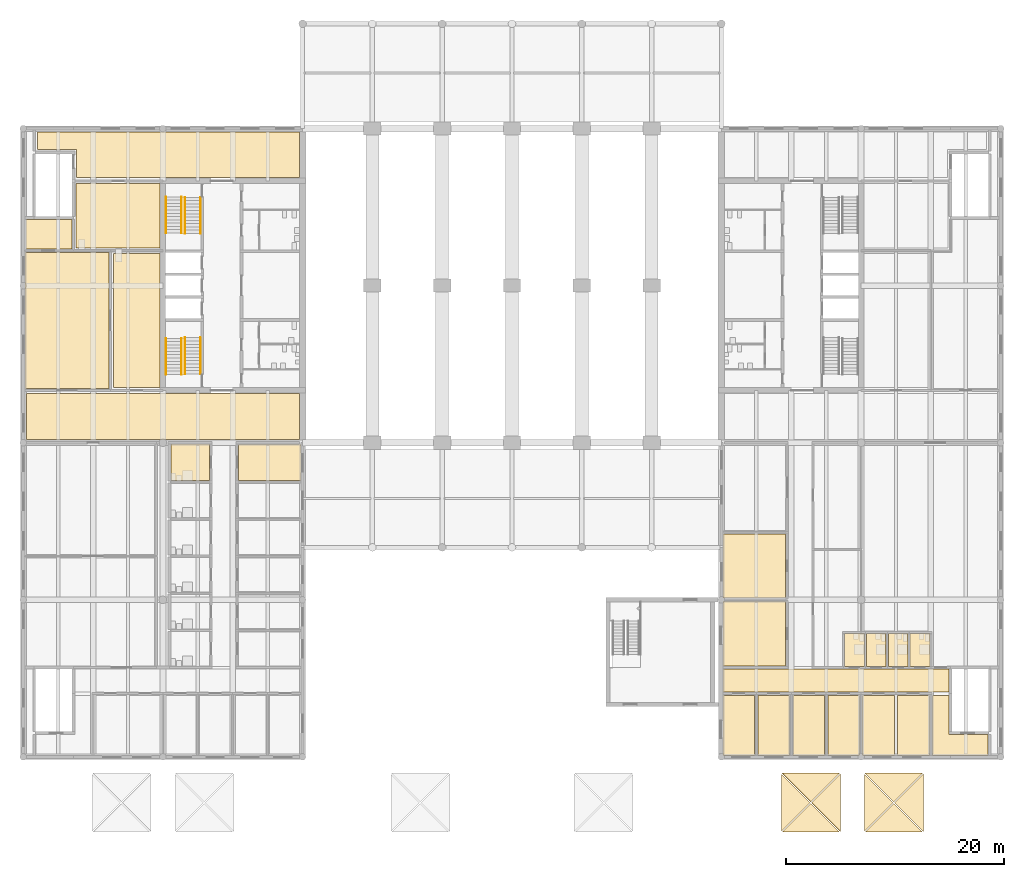
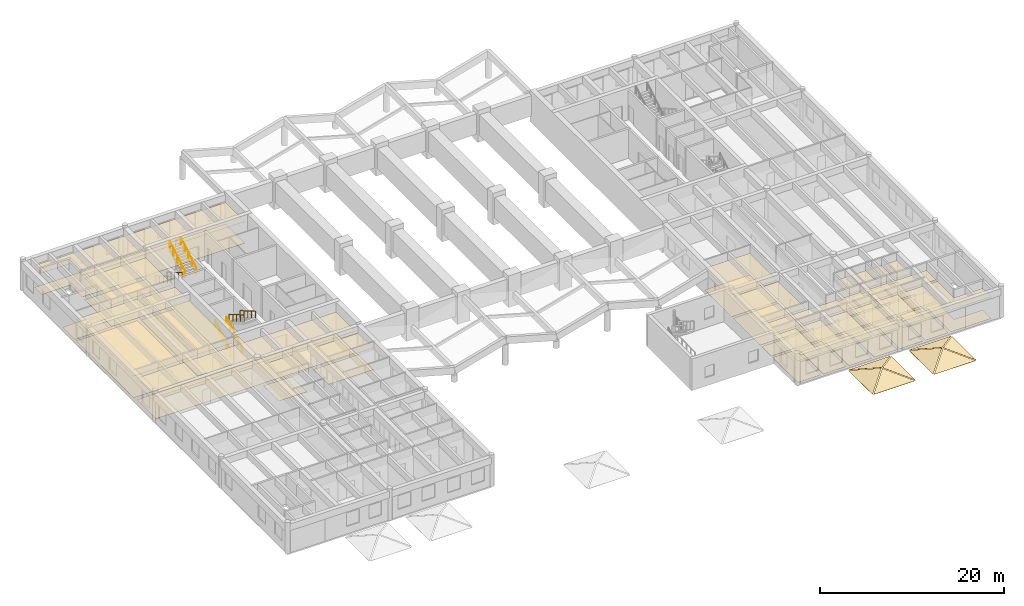
# One storey, part 17 of 19: 51 coverings, 8 railings.
"""IFC4 building model written with IfcOpenShell, lengths in metres."""

from ifc_helpers import new_model, si_unit, direction, frame, origin, origin_2d, place, context, subcontext, project, spatial, polyline, circle, outline, extrude, material, layer, layer_set, type_object, element, save


model = new_model("IFC4")

# Units and contexts
model_context = context("Model", 3, precision=1e-05, world=origin(), true_north=direction((0.0, 1.0)))
body_context = subcontext(model_context, "Body", "Model", "MODEL_VIEW")
ifc_project = project(units=[si_unit("LENGTHUNIT", "METRE"), si_unit("AREAUNIT", "SQUARE_METRE"), si_unit("VOLUMEUNIT", "CUBIC_METRE"), si_unit("PLANEANGLEUNIT", "RADIAN"), si_unit("MASSUNIT", "GRAM", prefix="KILO")], contexts=[model_context])

# Site, building, storey
site_placement = place(None, origin())
site = spatial("IfcSite", under=ifc_project, at=site_placement, CompositionType="ELEMENT")
building_placement = place(site_placement, origin())
building = spatial("IfcBuilding", under=site, at=building_placement, Name="Fogon Plaza Fire Station and Headquarters Tower", CompositionType="ELEMENT")
storey_placement = place(building_placement, frame((0.0, 0.0, 4.199951171875)))
storey = spatial("IfcBuildingStorey", under=building, at=storey_placement, Name="L01", CompositionType="ELEMENT", Elevation=4.199951171875)

# Coverings
ifc_material_1 = material(Name="Epoxy Resin Floor Finish")
ifc_layer_1 = layer(ifc_material_1, 0.02490234375)
ifc_layer_set_1 = layer_set([ifc_layer_1], Name="Epoxy Resin Floor Finish")
covering_type_1 = type_object("IfcCoveringType", Name="Floor Finish Epoxy 25", PredefinedType="FLOORING", material=ifc_layer_set_1)
covering_1_placement = place(storey_placement, origin())
element("IfcCovering", 1, at=covering_1_placement, inside=storey, type_object=covering_type_1, Name="floor-L01-W-linen", PredefinedType="FLOORING", context=body_context, shape_type="SweptSolid", body=[
    extrude(outline(polyline([(0.14990234375, 46.550048828125), (0.14990234375, 49.25), (4.449951171875, 49.25), (4.449951171875, 46.550048828125), (0.14990234375, 46.550048828125)])), origin(), (0.0, 0.0, 1.0), 0.025146484375),
])
ifc_material_2 = material(Name="Ceramic Tile Floor Finish")
ifc_layer_2 = layer(ifc_material_2, 0.02490234375)
ifc_layer_set_2 = layer_set([ifc_layer_2], Name="Ceramic Tile Floor Finish")
covering_type_2 = type_object("IfcCoveringType", Name="Floor Finish Tile 25", PredefinedType="FLOORING", material=ifc_layer_set_2)
covering_2_placement = place(storey_placement, origin())
element("IfcCovering", 2, at=covering_2_placement, inside=storey, type_object=covering_type_2, Name="floor-L01-W-w6", PredefinedType="FLOORING", context=body_context, shape_type="SweptSolid", body=[
    extrude(outline(polyline([(13.52490234375, 25.324951171875), (13.52490234375, 28.675048828125), (17.074951171875, 28.675048828125), (17.074951171875, 25.324951171875), (13.52490234375, 25.324951171875)])), origin(), (0.0, 0.0, 1.0), 0.025146484375),
])
covering_3_placement = place(storey_placement, origin())
element("IfcCovering", 3, at=covering_3_placement, inside=storey, type_object=covering_type_2, Name="floor-L01-W-kitchen", PredefinedType="FLOORING", context=body_context, shape_type="SweptSolid", body=[
    extrude(outline(polyline([(8.25, 33.85009765625), (8.25, 46.14990234375), (12.550048828125, 46.14990234375), (12.550048828125, 33.85009765625), (8.25, 33.85009765625)])), origin(), (0.0, 0.0, 1.0), 0.025146484375),
])
covering_4_placement = place(storey_placement, origin())
element("IfcCovering", 4, at=covering_4_placement, inside=storey, type_object=covering_type_2, Name="floor-L01-W-laun", PredefinedType="FLOORING", context=body_context, shape_type="SweptSolid", body=[
    extrude(outline(polyline([(4.85009765625, 46.64990234375), (4.85009765625, 52.550048828125), (12.550048828125, 52.550048828125), (12.550048828125, 46.64990234375), (4.85009765625, 46.64990234375)])), origin(), (0.0, 0.0, 1.0), 0.025146484375),
])
covering_5_placement = place(storey_placement, origin())
element("IfcCovering", 5, at=covering_5_placement, inside=storey, type_object=covering_type_2, Name="floor-L01-E-ow1", PredefinedType="FLOORING", context=body_context, shape_type="SweptSolid", body=[
    extrude(outline(polyline([(81.300048828125, 8.300048828125), (81.300048828125, 11.300048828125), (83.10009765625, 11.300048828125), (83.10009765625, 8.300048828125), (81.300048828125, 8.300048828125)])), origin(), (0.0, 0.0, 1.0), 0.025146484375),
])
covering_6_placement = place(storey_placement, origin())
element("IfcCovering", 6, at=covering_6_placement, inside=storey, type_object=covering_type_2, Name="floor-L01-E-ow2", PredefinedType="FLOORING", context=body_context, shape_type="SweptSolid", body=[
    extrude(outline(polyline([(79.300048828125, 8.300048828125), (79.300048828125, 11.300048828125), (81.10009765625, 11.300048828125), (81.10009765625, 8.300048828125), (79.300048828125, 8.300048828125)])), origin(), (0.0, 0.0, 1.0), 0.025146484375),
])
covering_7_placement = place(storey_placement, origin())
element("IfcCovering", 7, at=covering_7_placement, inside=storey, type_object=covering_type_2, Name="floor-L01-E-ow3", PredefinedType="FLOORING", context=body_context, shape_type="SweptSolid", body=[
    extrude(outline(polyline([(77.300048828125, 8.300048828125), (77.300048828125, 11.300048828125), (79.10009765625, 11.300048828125), (79.10009765625, 8.300048828125), (77.300048828125, 8.300048828125)])), origin(), (0.0, 0.0, 1.0), 0.025146484375),
])
covering_8_placement = place(storey_placement, origin())
element("IfcCovering", 8, at=covering_8_placement, inside=storey, type_object=covering_type_2, Name="floor-L01-E-ow4", PredefinedType="FLOORING", context=body_context, shape_type="SweptSolid", body=[
    extrude(outline(polyline([(75.300048828125, 8.300048828125), (75.300048828125, 11.300048828125), (77.10009765625, 11.300048828125), (77.10009765625, 8.300048828125), (75.300048828125, 8.300048828125)])), origin(), (0.0, 0.0, 1.0), 0.025146484375),
])
ifc_material_3 = material(Name="Vinyl Floor Finish")
ifc_layer_3 = layer(ifc_material_3, 0.02490234375)
ifc_layer_set_3 = layer_set([ifc_layer_3], Name="Vinyl Floor Finish")
covering_type_3 = type_object("IfcCoveringType", Name="Floor Finish Vinyl 25", PredefinedType="FLOORING", material=ifc_layer_set_3)
covering_9_placement = place(storey_placement, origin())
element("IfcCovering", 9, at=covering_9_placement, inside=storey, type_object=covering_type_3, Name="floor-L01-W-d12", PredefinedType="FLOORING", context=body_context, shape_type="SweptSolid", body=[
    extrude(outline(polyline([(19.75, 25.35009765625), (19.75, 28.64990234375), (25.449951171875, 28.64990234375), (25.449951171875, 25.35009765625), (19.75, 25.35009765625)])), origin(), (0.0, 0.0, 1.0), 0.025146484375),
])
covering_10_placement = place(storey_placement, origin())
element("IfcCovering", 10, at=covering_10_placement, inside=storey, type_object=covering_type_3, Name="floor-L01-W-spine", PredefinedType="FLOORING", context=body_context, shape_type="SweptSolid", body=[
    extrude(outline(polyline([(0.300048828125, 29.10009765625), (0.300048828125, 33.300048828125), (25.300048828125, 33.300048828125), (25.300048828125, 29.10009765625), (0.300048828125, 29.10009765625)])), origin(), (0.0, 0.0, 1.0), 0.025146484375),
])
covering_11_placement = place(storey_placement, origin())
element("IfcCovering", 11, at=covering_11_placement, inside=storey, type_object=covering_type_3, Name="floor-L01-W-mess", PredefinedType="FLOORING", context=body_context, shape_type="SweptSolid", body=[
    extrude(outline(polyline([(0.14990234375, 33.75), (0.14990234375, 46.25), (7.85009765625, 46.25), (7.85009765625, 33.75), (0.14990234375, 33.75)])), origin(), (0.0, 0.0, 1.0), 0.025146484375),
])
covering_12_placement = place(storey_placement, origin())
element("IfcCovering", 12, at=covering_12_placement, inside=storey, type_object=covering_type_3, Name="floor-L01-W-ncor", PredefinedType="FLOORING", context=body_context, shape_type="SweptSolid", body=[
    extrude(outline(polyline([(4.89990234375, 53.10009765625), (4.89990234375, 55.699951171875), (1.300048828125, 55.699951171875), (1.300048828125, 57.300048828125), (25.300048828125, 57.300048828125), (25.300048828125, 53.10009765625), (4.89990234375, 53.10009765625)])), origin(), (0.0, 0.0, 1.0), 0.025146484375),
])
covering_13_placement = place(storey_placement, origin())
element("IfcCovering", 13, at=covering_13_placement, inside=storey, type_object=covering_type_3, Name="floor-L01-E-o1", PredefinedType="FLOORING", context=body_context, shape_type="SweptSolid", body=[
    extrude(outline(polyline([(80.14990234375, 0.14990234375), (80.14990234375, 5.64990234375), (83.050048828125, 5.64990234375), (83.050048828125, 0.14990234375), (80.14990234375, 0.14990234375)])), origin(), (0.0, 0.0, 1.0), 0.025146484375),
])
covering_14_placement = place(storey_placement, origin())
element("IfcCovering", 14, at=covering_14_placement, inside=storey, type_object=covering_type_3, Name="floor-L01-E-o2", PredefinedType="FLOORING", context=body_context, shape_type="SweptSolid", body=[
    extrude(outline(polyline([(76.949951171875, 0.14990234375), (76.949951171875, 5.64990234375), (79.85009765625, 5.64990234375), (79.85009765625, 0.14990234375), (76.949951171875, 0.14990234375)])), origin(), (0.0, 0.0, 1.0), 0.025146484375),
])
covering_15_placement = place(storey_placement, origin())
element("IfcCovering", 15, at=covering_15_placement, inside=storey, type_object=covering_type_3, Name="floor-L01-E-o3", PredefinedType="FLOORING", context=body_context, shape_type="SweptSolid", body=[
    extrude(outline(polyline([(73.75, 0.14990234375), (73.75, 5.64990234375), (76.64990234375, 5.64990234375), (76.64990234375, 0.14990234375), (73.75, 0.14990234375)])), origin(), (0.0, 0.0, 1.0), 0.025146484375),
])
covering_16_placement = place(storey_placement, origin())
element("IfcCovering", 16, at=covering_16_placement, inside=storey, type_object=covering_type_3, Name="floor-L01-E-o4", PredefinedType="FLOORING", context=body_context, shape_type="SweptSolid", body=[
    extrude(outline(polyline([(70.550048828125, 0.14990234375), (70.550048828125, 5.64990234375), (73.449951171875, 5.64990234375), (73.449951171875, 0.14990234375), (70.550048828125, 0.14990234375)])), origin(), (0.0, 0.0, 1.0), 0.025146484375),
])
covering_17_placement = place(storey_placement, origin())
element("IfcCovering", 17, at=covering_17_placement, inside=storey, type_object=covering_type_3, Name="floor-L01-E-o5", PredefinedType="FLOORING", context=body_context, shape_type="SweptSolid", body=[
    extrude(outline(polyline([(67.35009765625, 0.14990234375), (67.35009765625, 5.64990234375), (70.25, 5.64990234375), (70.25, 0.14990234375), (67.35009765625, 0.14990234375)])), origin(), (0.0, 0.0, 1.0), 0.025146484375),
])
covering_18_placement = place(storey_placement, origin())
element("IfcCovering", 18, at=covering_18_placement, inside=storey, type_object=covering_type_3, Name="floor-L01-E-o6", PredefinedType="FLOORING", context=body_context, shape_type="SweptSolid", body=[
    extrude(outline(polyline([(64.14990234375, 0.14990234375), (64.14990234375, 5.64990234375), (67.050048828125, 5.64990234375), (67.050048828125, 0.14990234375), (64.14990234375, 0.14990234375)])), origin(), (0.0, 0.0, 1.0), 0.025146484375),
])
covering_19_placement = place(storey_placement, origin())
element("IfcCovering", 19, at=covering_19_placement, inside=storey, type_object=covering_type_3, Name="floor-L01-E-o7", PredefinedType="FLOORING", context=body_context, shape_type="SweptSolid", body=[
    extrude(outline(polyline([(64.14990234375, 8.35009765625), (64.14990234375, 14.25), (69.85009765625, 14.25), (69.85009765625, 8.35009765625), (64.14990234375, 8.35009765625)])), origin(), (0.0, 0.0, 1.0), 0.025146484375),
])
covering_20_placement = place(storey_placement, origin())
element("IfcCovering", 20, at=covering_20_placement, inside=storey, type_object=covering_type_3, Name="floor-L01-E-o8", PredefinedType="FLOORING", context=body_context, shape_type="SweptSolid", body=[
    extrude(outline(polyline([(64.14990234375, 14.550048828125), (64.14990234375, 20.449951171875), (69.85009765625, 20.449951171875), (69.85009765625, 14.550048828125), (64.14990234375, 14.550048828125)])), origin(), (0.0, 0.0, 1.0), 0.025146484375),
])
covering_21_placement = place(storey_placement, origin())
element("IfcCovering", 21, at=covering_21_placement, inside=storey, type_object=covering_type_3, Name="floor-L01-E-slob", PredefinedType="FLOORING", context=body_context, shape_type="SweptSolid", body=[
    extrude(outline(polyline([(83.35009765625, 0.14990234375), (83.35009765625, 5.64990234375), (84.85009765625, 5.64990234375), (84.85009765625, 2.050048828125), (88.449951171875, 2.050048828125), (88.449951171875, 0.14990234375), (83.35009765625, 0.14990234375)])), origin(), (0.0, 0.0, 1.0), 0.025146484375),
])
covering_22_placement = place(storey_placement, origin())
element("IfcCovering", 22, at=covering_22_placement, inside=storey, type_object=covering_type_3, Name="floor-L01-E-dcor", PredefinedType="FLOORING", context=body_context, shape_type="SweptSolid", body=[
    extrude(outline(polyline([(64.14990234375, 5.949951171875), (64.14990234375, 8.050048828125), (84.85009765625, 8.050048828125), (84.85009765625, 5.949951171875), (64.14990234375, 5.949951171875)])), origin(), (0.0, 0.0, 1.0), 0.025146484375),
])
ifc_material_4 = material(Name="Moisture Resistant Gypsum Ceiling")
ifc_layer_4 = layer(ifc_material_4, 0.02001953125)
ifc_layer_set_4 = layer_set([ifc_layer_4], Name="Moisture Resistant Gypsum Ceiling")
covering_type_4 = type_object("IfcCoveringType", Name="Moisture Resistant Ceiling 600x600", PredefinedType="CEILING", material=ifc_layer_set_4)
covering_23_placement = place(storey_placement, frame((0.0, 0.0, 2.880126953125)))
element("IfcCovering", 23, at=covering_23_placement, inside=storey, type_object=covering_type_4, Name="ceiling-L01-W-w6", PredefinedType="CEILING", context=body_context, shape_type="SweptSolid", body=[
    extrude(outline(polyline([(13.52490234375, 25.324951171875), (13.52490234375, 28.675048828125), (17.074951171875, 28.675048828125), (17.074951171875, 25.324951171875), (13.52490234375, 25.324951171875)])), origin(), (0.0, 0.0, 1.0), 0.02001953125),
])
covering_24_placement = place(storey_placement, frame((0.0, 0.0, 2.880126953125)))
element("IfcCovering", 24, at=covering_24_placement, inside=storey, type_object=covering_type_4, Name="ceiling-L01-W-kitchen", PredefinedType="CEILING", context=body_context, shape_type="SweptSolid", body=[
    extrude(outline(polyline([(8.25, 33.85009765625), (8.25, 46.14990234375), (12.550048828125, 46.14990234375), (12.550048828125, 33.85009765625), (8.25, 33.85009765625)])), origin(), (0.0, 0.0, 1.0), 0.02001953125),
])
covering_25_placement = place(storey_placement, frame((0.0, 0.0, 2.880126953125)))
element("IfcCovering", 25, at=covering_25_placement, inside=storey, type_object=covering_type_4, Name="ceiling-L01-W-laun", PredefinedType="CEILING", context=body_context, shape_type="SweptSolid", body=[
    extrude(outline(polyline([(4.85009765625, 46.64990234375), (4.85009765625, 52.550048828125), (12.550048828125, 52.550048828125), (12.550048828125, 46.64990234375), (4.85009765625, 46.64990234375)])), origin(), (0.0, 0.0, 1.0), 0.02001953125),
])
covering_26_placement = place(storey_placement, frame((0.0, 0.0, 2.880126953125)))
element("IfcCovering", 26, at=covering_26_placement, inside=storey, type_object=covering_type_4, Name="ceiling-L01-E-ow1", PredefinedType="CEILING", context=body_context, shape_type="SweptSolid", body=[
    extrude(outline(polyline([(81.300048828125, 8.300048828125), (81.300048828125, 11.300048828125), (83.10009765625, 11.300048828125), (83.10009765625, 8.300048828125), (81.300048828125, 8.300048828125)])), origin(), (0.0, 0.0, 1.0), 0.02001953125),
])
covering_27_placement = place(storey_placement, frame((0.0, 0.0, 2.880126953125)))
element("IfcCovering", 27, at=covering_27_placement, inside=storey, type_object=covering_type_4, Name="ceiling-L01-E-ow2", PredefinedType="CEILING", context=body_context, shape_type="SweptSolid", body=[
    extrude(outline(polyline([(79.300048828125, 8.300048828125), (79.300048828125, 11.300048828125), (81.10009765625, 11.300048828125), (81.10009765625, 8.300048828125), (79.300048828125, 8.300048828125)])), origin(), (0.0, 0.0, 1.0), 0.02001953125),
])
covering_28_placement = place(storey_placement, frame((0.0, 0.0, 2.880126953125)))
element("IfcCovering", 28, at=covering_28_placement, inside=storey, type_object=covering_type_4, Name="ceiling-L01-E-ow3", PredefinedType="CEILING", context=body_context, shape_type="SweptSolid", body=[
    extrude(outline(polyline([(77.300048828125, 8.300048828125), (77.300048828125, 11.300048828125), (79.10009765625, 11.300048828125), (79.10009765625, 8.300048828125), (77.300048828125, 8.300048828125)])), origin(), (0.0, 0.0, 1.0), 0.02001953125),
])
covering_29_placement = place(storey_placement, frame((0.0, 0.0, 2.880126953125)))
element("IfcCovering", 29, at=covering_29_placement, inside=storey, type_object=covering_type_4, Name="ceiling-L01-E-ow4", PredefinedType="CEILING", context=body_context, shape_type="SweptSolid", body=[
    extrude(outline(polyline([(75.300048828125, 8.300048828125), (75.300048828125, 11.300048828125), (77.10009765625, 11.300048828125), (77.10009765625, 8.300048828125), (75.300048828125, 8.300048828125)])), origin(), (0.0, 0.0, 1.0), 0.02001953125),
])

# Railings
ifc_material_5 = material(Name="Steel", Category="steel")
railing_type = type_object("IfcRailingType", Name="Stair Handrail 900", PredefinedType="HANDRAIL", material=ifc_material_5)
for number, where, name in (
    (30, (13.10009765625, 35.06005859375, 0.175048828125), "Handrail ST1"),
    (31, (14.5, 35.06005859375, 0.175048828125), "Handrail ST1"),
):
    element("IfcRailing", number, at=place(storey_placement, frame(where)), inside=storey, type_object=railing_type, Name=name, PredefinedType="HANDRAIL", context=body_context, shape_type="SweptSolid", body=[
        extrude(circle(Radius=0.02392578125, at=origin_2d()), frame((0.0, 0.0, 0.8759765625), z_axis=(0.0, 0.864761289162, 0.502183146637), x_axis=(-1.0, 0.0, 0.0)), (0.0, 0.0, 1.0), 3.833251953125),
        extrude(circle(Radius=0.02099609375, at=origin_2d()), origin(), (0.0, 0.0, 1.0), 0.851806640625),
        extrude(circle(Radius=0.02099609375, at=origin_2d()), frame((0.0, 0.82861328125, 0.481201171875)), (0.0, 0.0, 1.0), 0.851806640625),
        extrude(circle(Radius=0.02099609375, at=origin_2d()), frame((0.0, 1.657470703125, 0.96240234375)), (0.0, 0.0, 1.0), 0.851806640625),
        extrude(circle(Radius=0.02099609375, at=origin_2d()), frame((0.0, 2.486328125, 1.44384765625)), (0.0, 0.0, 1.0), 0.851806640625),
        extrude(circle(Radius=0.02099609375, at=origin_2d()), frame((0.0, 3.31494140625, 1.925048828125)), (0.0, 0.0, 1.0), 0.851806640625),
    ])
for number, where, name in (
    (32, (16.22509765625, 38.425048828125, 2.275146484375), "Handrail ST1"),
    (33, (14.824951171875, 38.425048828125, 2.275146484375), "Handrail ST1"),
):
    element("IfcRailing", number, at=place(storey_placement, frame(where)), inside=storey, type_object=railing_type, Name=name, PredefinedType="HANDRAIL", context=body_context, shape_type="SweptSolid", body=[
        extrude(circle(Radius=0.02392578125, at=origin_2d()), frame((0.0, 0.0, 0.8759765625), z_axis=(0.0, -0.86478894661, 0.502135517387), x_axis=(1.0, 0.0, 0.0)), (0.0, 0.0, 1.0), 3.833251953125),
        extrude(circle(Radius=0.02099609375, at=origin_2d()), origin(), (0.0, 0.0, 1.0), 0.851806640625),
        extrude(circle(Radius=0.02099609375, at=origin_2d()), frame((0.0, -0.82861328125, 0.481201171875)), (0.0, 0.0, 1.0), 0.851806640625),
        extrude(circle(Radius=0.02099609375, at=origin_2d()), frame((0.0, -1.657470703125, 0.96240234375)), (0.0, 0.0, 1.0), 0.851806640625),
        extrude(circle(Radius=0.02099609375, at=origin_2d()), frame((0.0, -2.486328125, 1.443603515625)), (0.0, 0.0, 1.0), 0.851806640625),
        extrude(circle(Radius=0.02099609375, at=origin_2d()), frame((0.0, -3.31494140625, 1.9248046875)), (0.0, 0.0, 1.0), 0.851806640625),
    ])
for number, where, name in (
    (34, (13.10009765625, 51.340087890625, 0.175048828125), "Handrail ST2"),
    (35, (14.5, 51.340087890625, 0.175048828125), "Handrail ST2"),
):
    element("IfcRailing", number, at=place(storey_placement, frame(where)), inside=storey, type_object=railing_type, Name=name, PredefinedType="HANDRAIL", context=body_context, shape_type="SweptSolid", body=[
        extrude(circle(Radius=0.02392578125, at=origin_2d()), frame((0.0, 0.0, 0.8759765625), z_axis=(0.0, -0.864777349284, 0.502155490029), x_axis=(1.0, 0.0, 0.0)), (0.0, 0.0, 1.0), 3.83349609375),
        extrude(circle(Radius=0.02099609375, at=origin_2d()), origin(), (0.0, 0.0, 1.0), 0.851806640625),
        extrude(circle(Radius=0.02099609375, at=origin_2d()), frame((0.0, -0.828857421875, 0.481201171875)), (0.0, 0.0, 1.0), 0.851806640625),
        extrude(circle(Radius=0.02099609375, at=origin_2d()), frame((0.0, -1.65771484375, 0.96240234375)), (0.0, 0.0, 1.0), 0.851806640625),
        extrude(circle(Radius=0.02099609375, at=origin_2d()), frame((0.0, -2.486328125, 1.44384765625)), (0.0, 0.0, 1.0), 0.851806640625),
        extrude(circle(Radius=0.02099609375, at=origin_2d()), frame((0.0, -3.315185546875, 1.925048828125)), (0.0, 0.0, 1.0), 0.851806640625),
    ])
for number, where, name in (
    (36, (16.22509765625, 47.97509765625, 2.275146484375), "Handrail ST2"),
    (37, (14.824951171875, 47.97509765625, 2.275146484375), "Handrail ST2"),
):
    element("IfcRailing", number, at=place(storey_placement, frame(where)), inside=storey, type_object=railing_type, Name=name, PredefinedType="HANDRAIL", context=body_context, shape_type="SweptSolid", body=[
        extrude(circle(Radius=0.02392578125, at=origin_2d()), frame((0.0, 0.0, 0.8759765625), z_axis=(0.0, 0.86478894661, 0.502135517387), x_axis=(-1.0, 0.0, 0.0)), (0.0, 0.0, 1.0), 3.833251953125),
        extrude(circle(Radius=0.02099609375, at=origin_2d()), origin(), (0.0, 0.0, 1.0), 0.851806640625),
        extrude(circle(Radius=0.02099609375, at=origin_2d()), frame((0.0, 0.82861328125, 0.481201171875)), (0.0, 0.0, 1.0), 0.851806640625),
        extrude(circle(Radius=0.02099609375, at=origin_2d()), frame((0.0, 1.657470703125, 0.96240234375)), (0.0, 0.0, 1.0), 0.851806640625),
        extrude(circle(Radius=0.02099609375, at=origin_2d()), frame((0.0, 2.486328125, 1.443603515625)), (0.0, 0.0, 1.0), 0.851806640625),
        extrude(circle(Radius=0.02099609375, at=origin_2d()), frame((0.0, 3.31494140625, 1.9248046875)), (0.0, 0.0, 1.0), 0.851806640625),
    ])

# Coverings
ifc_material_6 = material(Name="Mineral Fibre Ceiling Tile")
ifc_layer_5 = layer(ifc_material_6, 0.02001953125)
ifc_layer_set_5 = layer_set([ifc_layer_5], Name="Mineral Fibre Ceiling Tile")
covering_type_5 = type_object("IfcCoveringType", Name="Suspended Ceiling 600x600", PredefinedType="CEILING", material=ifc_layer_set_5)
covering_30_placement = place(storey_placement, frame((0.0, 0.0, 2.880126953125)))
element("IfcCovering", 38, at=covering_30_placement, inside=storey, type_object=covering_type_5, Name="ceiling-L01-W-d12", PredefinedType="CEILING", context=body_context, shape_type="SweptSolid", body=[
    extrude(outline(polyline([(19.75, 25.35009765625), (19.75, 28.64990234375), (25.449951171875, 28.64990234375), (25.449951171875, 25.35009765625), (19.75, 25.35009765625)])), origin(), (0.0, 0.0, 1.0), 0.02001953125),
])
covering_31_placement = place(storey_placement, frame((0.0, 0.0, 2.880126953125)))
element("IfcCovering", 39, at=covering_31_placement, inside=storey, type_object=covering_type_5, Name="ceiling-L01-W-spine", PredefinedType="CEILING", context=body_context, shape_type="SweptSolid", body=[
    extrude(outline(polyline([(0.300048828125, 29.10009765625), (0.300048828125, 33.300048828125), (25.300048828125, 33.300048828125), (25.300048828125, 29.10009765625), (0.300048828125, 29.10009765625)])), origin(), (0.0, 0.0, 1.0), 0.02001953125),
])
covering_32_placement = place(storey_placement, frame((0.0, 0.0, 2.880126953125)))
element("IfcCovering", 40, at=covering_32_placement, inside=storey, type_object=covering_type_5, Name="ceiling-L01-W-mess", PredefinedType="CEILING", context=body_context, shape_type="SweptSolid", body=[
    extrude(outline(polyline([(0.14990234375, 33.75), (0.14990234375, 46.25), (7.85009765625, 46.25), (7.85009765625, 33.75), (0.14990234375, 33.75)])), origin(), (0.0, 0.0, 1.0), 0.02001953125),
])
covering_33_placement = place(storey_placement, frame((0.0, 0.0, 2.880126953125)))
element("IfcCovering", 41, at=covering_33_placement, inside=storey, type_object=covering_type_5, Name="ceiling-L01-W-ncor", PredefinedType="CEILING", context=body_context, shape_type="SweptSolid", body=[
    extrude(outline(polyline([(4.89990234375, 53.10009765625), (4.89990234375, 55.699951171875), (1.300048828125, 55.699951171875), (1.300048828125, 57.300048828125), (25.300048828125, 57.300048828125), (25.300048828125, 53.10009765625), (4.89990234375, 53.10009765625)])), origin(), (0.0, 0.0, 1.0), 0.02001953125),
])
covering_34_placement = place(storey_placement, frame((0.0, 0.0, 2.880126953125)))
element("IfcCovering", 42, at=covering_34_placement, inside=storey, type_object=covering_type_5, Name="ceiling-L01-E-o1", PredefinedType="CEILING", context=body_context, shape_type="SweptSolid", body=[
    extrude(outline(polyline([(80.14990234375, 0.14990234375), (80.14990234375, 5.64990234375), (83.050048828125, 5.64990234375), (83.050048828125, 0.14990234375), (80.14990234375, 0.14990234375)])), origin(), (0.0, 0.0, 1.0), 0.02001953125),
])
covering_35_placement = place(storey_placement, frame((0.0, 0.0, 2.880126953125)))
element("IfcCovering", 43, at=covering_35_placement, inside=storey, type_object=covering_type_5, Name="ceiling-L01-E-o2", PredefinedType="CEILING", context=body_context, shape_type="SweptSolid", body=[
    extrude(outline(polyline([(76.949951171875, 0.14990234375), (76.949951171875, 5.64990234375), (79.85009765625, 5.64990234375), (79.85009765625, 0.14990234375), (76.949951171875, 0.14990234375)])), origin(), (0.0, 0.0, 1.0), 0.02001953125),
])
covering_36_placement = place(storey_placement, frame((0.0, 0.0, 2.880126953125)))
element("IfcCovering", 44, at=covering_36_placement, inside=storey, type_object=covering_type_5, Name="ceiling-L01-E-o3", PredefinedType="CEILING", context=body_context, shape_type="SweptSolid", body=[
    extrude(outline(polyline([(73.75, 0.14990234375), (73.75, 5.64990234375), (76.64990234375, 5.64990234375), (76.64990234375, 0.14990234375), (73.75, 0.14990234375)])), origin(), (0.0, 0.0, 1.0), 0.02001953125),
])
covering_37_placement = place(storey_placement, frame((0.0, 0.0, 2.880126953125)))
element("IfcCovering", 45, at=covering_37_placement, inside=storey, type_object=covering_type_5, Name="ceiling-L01-E-o4", PredefinedType="CEILING", context=body_context, shape_type="SweptSolid", body=[
    extrude(outline(polyline([(70.550048828125, 0.14990234375), (70.550048828125, 5.64990234375), (73.449951171875, 5.64990234375), (73.449951171875, 0.14990234375), (70.550048828125, 0.14990234375)])), origin(), (0.0, 0.0, 1.0), 0.02001953125),
])
covering_38_placement = place(storey_placement, frame((0.0, 0.0, 2.880126953125)))
element("IfcCovering", 46, at=covering_38_placement, inside=storey, type_object=covering_type_5, Name="ceiling-L01-E-o5", PredefinedType="CEILING", context=body_context, shape_type="SweptSolid", body=[
    extrude(outline(polyline([(67.35009765625, 0.14990234375), (67.35009765625, 5.64990234375), (70.25, 5.64990234375), (70.25, 0.14990234375), (67.35009765625, 0.14990234375)])), origin(), (0.0, 0.0, 1.0), 0.02001953125),
])
covering_39_placement = place(storey_placement, frame((0.0, 0.0, 2.880126953125)))
element("IfcCovering", 47, at=covering_39_placement, inside=storey, type_object=covering_type_5, Name="ceiling-L01-E-o6", PredefinedType="CEILING", context=body_context, shape_type="SweptSolid", body=[
    extrude(outline(polyline([(64.14990234375, 0.14990234375), (64.14990234375, 5.64990234375), (67.050048828125, 5.64990234375), (67.050048828125, 0.14990234375), (64.14990234375, 0.14990234375)])), origin(), (0.0, 0.0, 1.0), 0.02001953125),
])
covering_40_placement = place(storey_placement, frame((0.0, 0.0, 2.880126953125)))
element("IfcCovering", 48, at=covering_40_placement, inside=storey, type_object=covering_type_5, Name="ceiling-L01-E-o7", PredefinedType="CEILING", context=body_context, shape_type="SweptSolid", body=[
    extrude(outline(polyline([(64.14990234375, 8.35009765625), (64.14990234375, 14.25), (69.85009765625, 14.25), (69.85009765625, 8.35009765625), (64.14990234375, 8.35009765625)])), origin(), (0.0, 0.0, 1.0), 0.02001953125),
])
covering_41_placement = place(storey_placement, frame((0.0, 0.0, 2.880126953125)))
element("IfcCovering", 49, at=covering_41_placement, inside=storey, type_object=covering_type_5, Name="ceiling-L01-E-o8", PredefinedType="CEILING", context=body_context, shape_type="SweptSolid", body=[
    extrude(outline(polyline([(64.14990234375, 14.550048828125), (64.14990234375, 20.449951171875), (69.85009765625, 20.449951171875), (69.85009765625, 14.550048828125), (64.14990234375, 14.550048828125)])), origin(), (0.0, 0.0, 1.0), 0.02001953125),
])
covering_42_placement = place(storey_placement, frame((0.0, 0.0, 2.880126953125)))
element("IfcCovering", 50, at=covering_42_placement, inside=storey, type_object=covering_type_5, Name="ceiling-L01-E-slob", PredefinedType="CEILING", context=body_context, shape_type="SweptSolid", body=[
    extrude(outline(polyline([(83.35009765625, 0.14990234375), (83.35009765625, 5.64990234375), (84.85009765625, 5.64990234375), (84.85009765625, 2.050048828125), (88.449951171875, 2.050048828125), (88.449951171875, 0.14990234375), (83.35009765625, 0.14990234375)])), origin(), (0.0, 0.0, 1.0), 0.02001953125),
])
covering_43_placement = place(storey_placement, frame((0.0, 0.0, 2.880126953125)))
element("IfcCovering", 51, at=covering_43_placement, inside=storey, type_object=covering_type_5, Name="ceiling-L01-E-dcor", PredefinedType="CEILING", context=body_context, shape_type="SweptSolid", body=[
    extrude(outline(polyline([(64.14990234375, 5.949951171875), (64.14990234375, 8.050048828125), (84.85009765625, 8.050048828125), (84.85009765625, 5.949951171875), (64.14990234375, 5.949951171875)])), origin(), (0.0, 0.0, 1.0), 0.02001953125),
])
ifc_material_7 = material(Name="Fibre-reinforced shell topping", Category="concrete")
ifc_layer_6 = layer(ifc_material_7, 0.014892578125)
ifc_layer_set_6 = layer_set([ifc_layer_6], Name="Fibre-reinforced shell topping")
covering_type_6 = type_object("IfcCoveringType", Name="Umbrella Shell Topping 15", PredefinedType="ROOFING", material=ifc_layer_set_6)
covering_44_placement = place(storey_placement, frame((69.57080078125, -6.9052734375, 0.814208984375), z_axis=(0.0, -0.347246293185, 0.9377739663), x_axis=(0.684013685294, 0.684077202211, 0.253305467263)))
element("IfcCovering", 52, at=covering_44_placement, inside=storey, type_object=covering_type_6, Name="Roofing RM2 umb-U5-1", PredefinedType="ROOFING", context=body_context, shape_type="SweptSolid", body=[
    extrude(outline(polyline([(0.0, 0.0), (3.843710216843572, 8.326672684688674e-17), (3.5969166912952604, -3.8359464296649026), (0.0, 0.0)])), origin(), (0.0, 0.0, -1.0), 0.014892578125),
])
covering_45_placement = place(storey_placement, frame((74.9052734375, -6.829345703125, 0.814208984375), z_axis=(0.347246293185, 0.0, 0.9377739663), x_axis=(-0.684047482049, 0.684047482049, 0.253294462248)))
element("IfcCovering", 53, at=covering_45_placement, inside=storey, type_object=covering_type_6, Name="Roofing RM2 umb-U5-2", PredefinedType="ROOFING", context=body_context, shape_type="SweptSolid", body=[
    extrude(outline(polyline([(0.0, 0.0), (3.843877216497878, 0.0), (3.5970944130489286, -3.8357797745685995), (0.0, 0.0)])), origin(), (0.0, 0.0, -1.0), 0.014892578125),
])
covering_46_placement = place(storey_placement, frame((74.829345703125, -1.494873046875, 0.814208984375), z_axis=(0.0, 0.347274649598, 0.937763465777), x_axis=(-0.684077202211, -0.684013685294, 0.253305467263)))
element("IfcCovering", 54, at=covering_46_placement, inside=storey, type_object=covering_type_6, Name="Roofing RM2 umb-U5-3", PredefinedType="ROOFING", context=body_context, shape_type="SweptSolid", body=[
    extrude(outline(polyline([(0.0, 0.0), (3.843710216843572, -1.6653345369377348e-16), (3.5972506978595926, -3.8356332087578493), (0.0, 0.0)])), origin(), (0.0, 0.0, -1.0), 0.014892578125),
])
covering_47_placement = place(storey_placement, frame((69.494873046875, -1.57080078125, 0.814208984375), z_axis=(-0.347274649598, 0.0, 0.937763465777), x_axis=(0.684043406571, -0.684043406571, 0.253316473712)))
element("IfcCovering", 55, at=covering_47_placement, inside=storey, type_object=covering_type_6, Name="Roofing RM2 umb-U5-4", PredefinedType="ROOFING", context=body_context, shape_type="SweptSolid", body=[
    extrude(outline(polyline([(0.0, 0.0), (3.8435432099332307, -8.326672684688674e-17), (3.597072981965238, -3.835799871968436), (0.0, 0.0)])), origin(), (0.0, 0.0, -1.0), 0.014892578125),
])
covering_48_placement = place(storey_placement, frame((77.170654296875, -6.9052734375, 0.814208984375), z_axis=(0.0, -0.347246293185, 0.9377739663), x_axis=(0.684047482049, 0.684047482049, 0.253294462248)))
element("IfcCovering", 56, at=covering_48_placement, inside=storey, type_object=covering_type_6, Name="Roofing RM2 umb-U6-1", PredefinedType="ROOFING", context=body_context, shape_type="SweptSolid", body=[
    extrude(outline(polyline([(0.0, 0.0), (3.843877216497878, 0.0), (3.5970944130489286, -3.8357797745685995), (0.0, 0.0)])), origin(), (0.0, 0.0, -1.0), 0.014892578125),
])
covering_49_placement = place(storey_placement, frame((82.505126953125, -6.829345703125, 0.814208984375), z_axis=(0.347274649598, 0.0, 0.937763465777), x_axis=(-0.684013685294, 0.684077202211, 0.253305467263)))
element("IfcCovering", 57, at=covering_49_placement, inside=storey, type_object=covering_type_6, Name="Roofing RM2 umb-U6-2", PredefinedType="ROOFING", context=body_context, shape_type="SweptSolid", body=[
    extrude(outline(polyline([(0.0, 0.0), (3.843710216843572, -1.6653345369377348e-16), (3.5972506978595926, -3.8356332087578493), (0.0, 0.0)])), origin(), (0.0, 0.0, -1.0), 0.014892578125),
])
covering_50_placement = place(storey_placement, frame((82.42919921875, -1.494873046875, 0.814208984375), z_axis=(0.0, 0.347274649598, 0.937763465777), x_axis=(-0.684043406571, -0.684043406571, 0.253316473712)))
element("IfcCovering", 58, at=covering_50_placement, inside=storey, type_object=covering_type_6, Name="Roofing RM2 umb-U6-3", PredefinedType="ROOFING", context=body_context, shape_type="SweptSolid", body=[
    extrude(outline(polyline([(0.0, 0.0), (3.8435432099332307, -8.326672684688674e-17), (3.597072981965238, -3.835799871968436), (0.0, 0.0)])), origin(), (0.0, 0.0, -1.0), 0.014892578125),
])
covering_51_placement = place(storey_placement, frame((77.0947265625, -1.57080078125, 0.814208984375), z_axis=(-0.347246293185, 0.0, 0.9377739663), x_axis=(0.684077202211, -0.684013685294, 0.253305467263)))
element("IfcCovering", 59, at=covering_51_placement, inside=storey, type_object=covering_type_6, Name="Roofing RM2 umb-U6-4", PredefinedType="ROOFING", context=body_context, shape_type="SweptSolid", body=[
    extrude(outline(polyline([(0.0, 0.0), (3.843710216843572, 8.326672684688674e-17), (3.5969166912952604, -3.8359464296649026), (0.0, 0.0)])), origin(), (0.0, 0.0, -1.0), 0.014892578125),
])

save(model, "model.ifc")
